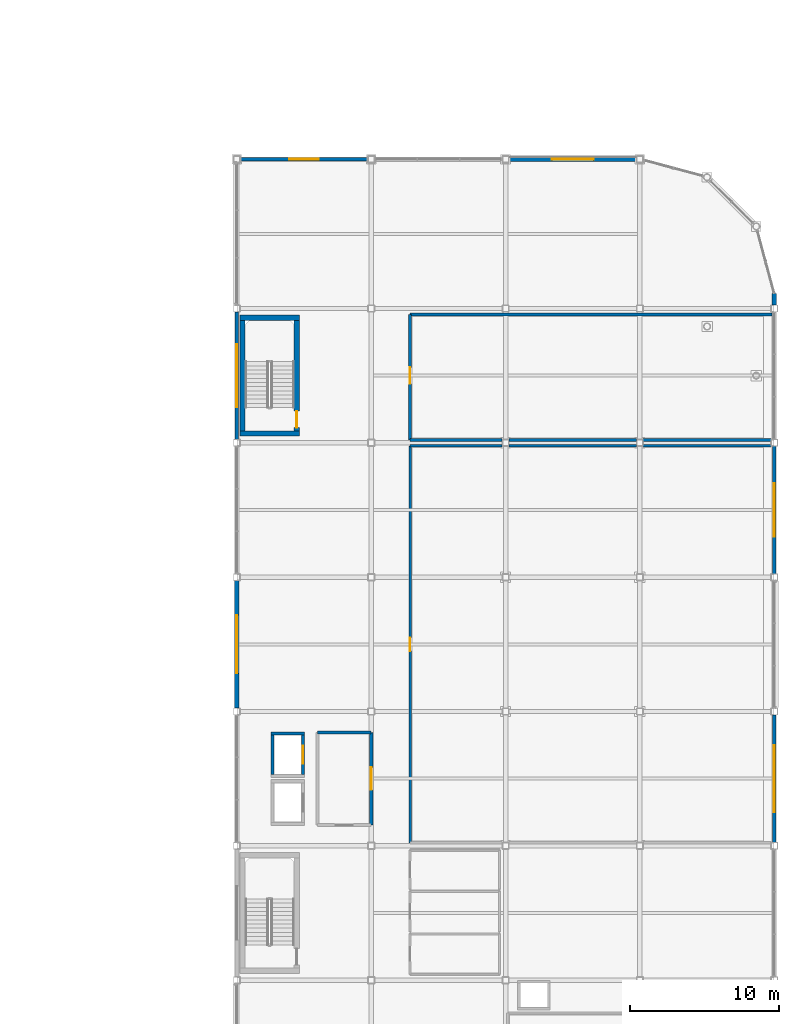
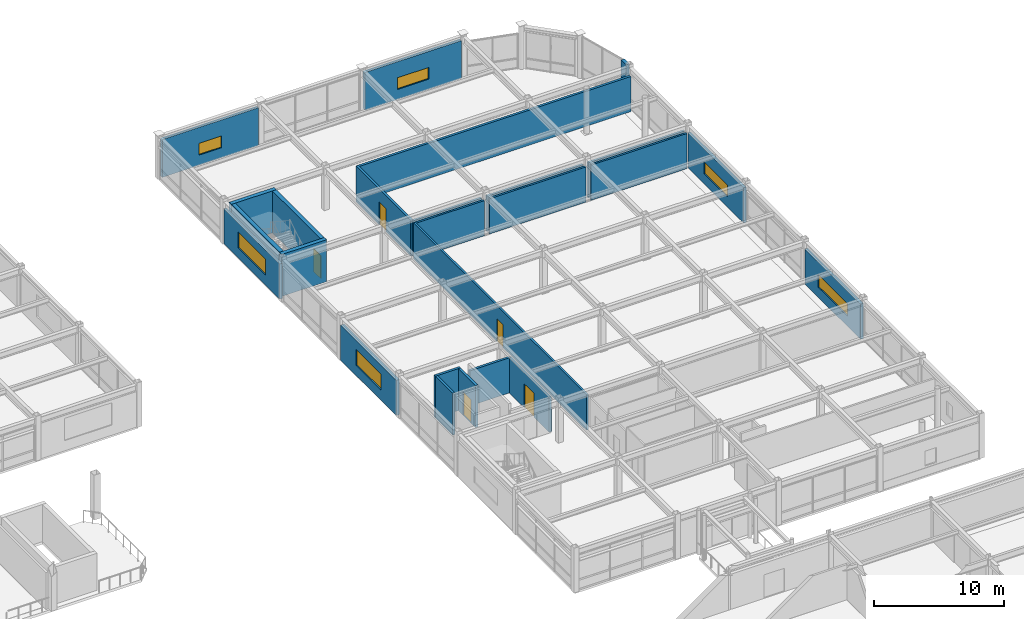
# One storey, part 79 of 105: 25 walls, 6 windows, 5 doors, 11 openings.
"""IFC4 building model written with IfcOpenShell, lengths in metres."""

from ifc_helpers import new_model, si_unit, direction, frame, frame_2d, origin, place, context, subcontext, project, spatial, rectangle, extrude, material, layer, layer_set, type_object, element, fill, save


model = new_model("IFC4")

# Units and contexts
model_context = context("Model", 3, precision=1e-05, world=origin(), true_north=direction((0.0, 1.0)))
body_context = subcontext(model_context, "Body", "Model", "MODEL_VIEW")
ifc_project = project(units=[si_unit("LENGTHUNIT", "METRE"), si_unit("AREAUNIT", "SQUARE_METRE"), si_unit("VOLUMEUNIT", "CUBIC_METRE"), si_unit("PLANEANGLEUNIT", "RADIAN"), si_unit("MASSUNIT", "GRAM", prefix="KILO")], contexts=[model_context])

# Site, building, storey
site_placement = place(None, origin())
site = spatial("IfcSite", under=ifc_project, at=site_placement, CompositionType="ELEMENT")
building_placement = place(site_placement, origin())
building = spatial("IfcBuilding", under=site, at=building_placement, Name="Suzunagisa Mobility Hub", CompositionType="ELEMENT")
storey_placement = place(building_placement, frame((0.0, 0.0, 5.10009765625)))
storey = spatial("IfcBuildingStorey", under=building, at=storey_placement, Name="L01", CompositionType="ELEMENT", Elevation=5.10009765625)

# Wall, opening, window
ifc_material_1 = material(Name="Porcelain-Faced Insulated Concrete C30/37 Wall", Category="concrete")
ifc_layer_1 = layer(ifc_material_1, 0.260009765625)
ifc_layer_set_1 = layer_set([ifc_layer_1], Name="Porcelain-Faced Insulated Concrete C30/37 Wall")
wall_type_1 = type_object("IfcWallType", Name="Exterior Wall EW-03 260mm", PredefinedType="SOLIDWALL", material=ifc_layer_set_1)
wall_1_placement = place(storey_placement, frame((180.0, 62.22509765625, 0.0), z_axis=(0.0, 0.0, 1.0), x_axis=(0.0, 1.0, 0.0)))
wall_1 = element("IfcWall", 1, at=wall_1_placement, inside=storey, type_object=wall_type_1, Name="L01 Exterior Facade Wall EW-362", PredefinedType="SOLIDWALL", context=body_context, shape_type="SweptSolid", body=[
    extrude(rectangle(XDim=8.5498046875, YDim=0.260009765625, at=frame_2d((4.27490234375, 0.0))), origin(), (0.0, 0.0, 1.0), 3.2998046875),
])
opening_1_placement = place(wall_1_placement, frame((2.02490234375, 0.0, 0.949951171875)))
opening_1 = element("IfcOpeningElement", 2, at=opening_1_placement, cuts=wall_1, Name="Opening WN-28", PredefinedType="OPENING", context=body_context, shape_type="SweptSolid", body=[
    extrude(rectangle(XDim=4.5, YDim=1.199951171875, at=frame_2d((2.25, 0.60009765625))), frame((0.0, 0.14111328125, 0.0), z_axis=(0.0, -1.0, 0.0), x_axis=(1.0, 0.0, 0.0)), (0.0, 0.0, 1.0), 0.281982421875),
])
ifc_material_2 = material(Name="Thermally Broken Anodized Aluminum and Low-E Double Glazing", Category="aluminium")
window_type_1 = type_object("IfcWindowType", Name="Aluminum Window WN-28 4500x1200", PartitioningType="SINGLE_PANEL", PredefinedType="WINDOW", material=ifc_material_2)
window_1_placement = place(opening_1_placement, origin())
window_1 = element("IfcWindow", 3, at=window_1_placement, inside=storey, type_object=window_type_1, Name="L01 Scheduled Facade Window WN-117", OverallHeight=1.199951171875, OverallWidth=4.5, PartitioningType="SINGLE_PANEL", PredefinedType="WINDOW", context=body_context, shape_type="SweptSolid", body=[
    extrude(rectangle(XDim=4.5, YDim=1.199951171875, at=frame_2d((2.25, 0.60009765625))), frame((0.0, 0.030029296875, 0.0), z_axis=(0.0, -1.0, 0.0), x_axis=(1.0, 0.0, 0.0)), (0.0, 0.0, 1.0), 0.06005859375),
])
fill(opening_1, window_1)

wall_2_placement = place(storey_placement, frame((152.77490234375, 108.0, 0.0), z_axis=(0.0, 0.0, 1.0), x_axis=(-1.0, 0.0, 0.0)))
wall_2 = element("IfcWall", 4, at=wall_2_placement, inside=storey, type_object=wall_type_1, Name="L01 Exterior Facade Wall EW-366", PredefinedType="SOLIDWALL", context=body_context, shape_type="SweptSolid", body=[
    extrude(rectangle(XDim=8.5498046875, YDim=0.260009765625, at=frame_2d((4.27490234375, 0.0))), origin(), (0.0, 0.0, 1.0), 3.5498046875),
])
opening_2_placement = place(wall_2_placement, frame((3.27490234375, 0.0, 0.949951171875)))
opening_2 = element("IfcOpeningElement", 5, at=opening_2_placement, cuts=wall_2, Name="Opening WN-26", PredefinedType="OPENING", context=body_context, shape_type="SweptSolid", body=[
    extrude(rectangle(XDim=2.0, YDim=1.10009765625, at=frame_2d((1.0, 0.550048828125))), frame((0.0, 0.14111328125, 0.0), z_axis=(0.0, -1.0, 0.0), x_axis=(1.0, 0.0, 0.0)), (0.0, 0.0, 1.0), 0.281982421875),
])
window_type_2 = type_object("IfcWindowType", Name="Aluminum Window WN-26 2000x1100", PartitioningType="SINGLE_PANEL", PredefinedType="WINDOW", material=ifc_material_2)
window_2_placement = place(opening_2_placement, origin())
window_2 = element("IfcWindow", 6, at=window_2_placement, inside=storey, type_object=window_type_2, Name="L01 Scheduled Facade Window WN-120", OverallHeight=1.10009765625, OverallWidth=2.0, PartitioningType="SINGLE_PANEL", PredefinedType="WINDOW", context=body_context, shape_type="SweptSolid", body=[
    extrude(rectangle(XDim=2.0, YDim=1.10009765625, at=frame_2d((1.0, 0.550048828125))), frame((0.0, 0.030029296875, 0.0), z_axis=(0.0, -1.0, 0.0), x_axis=(1.0, 0.0, 0.0)), (0.0, 0.0, 1.0), 0.06005859375),
])
fill(opening_2, window_2)

ifc_material_3 = material(Name="Lightweight Insulated Autoclaved Concrete C30/37 Wall", Category="concrete")
ifc_layer_2 = layer(ifc_material_3, 0.239990234375)
ifc_layer_set_2 = layer_set([ifc_layer_2], Name="Lightweight Insulated Autoclaved Concrete C30/37 Wall")
wall_type_2 = type_object("IfcWallType", Name="Exterior Wall EW-04 240mm", PredefinedType="SOLIDWALL", material=ifc_layer_set_2)
wall_3_placement = place(storey_placement, frame((180.0, 80.22509765625, 0.0), z_axis=(0.0, 0.0, 1.0), x_axis=(0.0, 1.0, 0.0)))
wall_3 = element("IfcWall", 7, at=wall_3_placement, inside=storey, type_object=wall_type_2, Name="L01 Exterior Facade Wall EW-363", PredefinedType="SOLIDWALL", context=body_context, shape_type="SweptSolid", body=[
    extrude(rectangle(XDim=8.5498046875, YDim=0.239990234375, at=frame_2d((4.27490234375, 0.0))), origin(), (0.0, 0.0, 1.0), 3.2998046875),
])
opening_3_placement = place(wall_3_placement, frame((2.47509765625, 0.0, 0.949951171875)))
opening_3 = element("IfcOpeningElement", 8, at=opening_3_placement, cuts=wall_3, Name="Opening WN-05", PredefinedType="OPENING", context=body_context, shape_type="SweptSolid", body=[
    extrude(rectangle(XDim=3.60009765625, YDim=1.10009765625, at=frame_2d((1.800048828125, 0.550048828125))), frame((0.0, 0.130859375, 0.0), z_axis=(0.0, -1.0, 0.0), x_axis=(1.0, 0.0, 0.0)), (0.0, 0.0, 1.0), 0.261962890625),
])
window_type_3 = type_object("IfcWindowType", Name="Aluminum Window WN-05 3600x1100", PartitioningType="SINGLE_PANEL", PredefinedType="WINDOW", material=ifc_material_2)
window_3_placement = place(opening_3_placement, origin())
window_3 = element("IfcWindow", 9, at=window_3_placement, inside=storey, type_object=window_type_3, Name="L01 Scheduled Facade Window WN-118", OverallHeight=1.10009765625, OverallWidth=3.60009765625, PartitioningType="SINGLE_PANEL", PredefinedType="WINDOW", context=body_context, shape_type="SweptSolid", body=[
    extrude(rectangle(XDim=3.60009765625, YDim=1.10009765625, at=frame_2d((1.800048828125, 0.550048828125))), frame((0.0, 0.030029296875, 0.0), z_axis=(0.0, -1.0, 0.0), x_axis=(1.0, 0.0, 0.0)), (0.0, 0.0, 1.0), 0.06005859375),
])
fill(opening_3, window_3)

wall_4_placement = place(storey_placement, frame((144.0, 97.77490234375, 0.0), z_axis=(0.0, 0.0, 1.0), x_axis=(0.0, -1.0, 0.0)))
wall_4 = element("IfcWall", 10, at=wall_4_placement, inside=storey, type_object=wall_type_2, Name="L01 Exterior Facade Wall EW-367", PredefinedType="SOLIDWALL", context=body_context, shape_type="SweptSolid", body=[
    extrude(rectangle(XDim=8.5498046875, YDim=0.239990234375, at=frame_2d((4.27490234375, 0.0))), origin(), (0.0, 0.0, 1.0), 3.2998046875),
])
opening_4_placement = place(wall_4_placement, frame((2.175048828125, 0.0, 0.949951171875)))
opening_4 = element("IfcOpeningElement", 11, at=opening_4_placement, cuts=wall_4, Name="Opening WN-22", PredefinedType="OPENING", context=body_context, shape_type="SweptSolid", body=[
    extrude(rectangle(XDim=4.199951171875, YDim=1.5, at=frame_2d((2.10009765625, 0.75))), frame((0.0, 0.130859375, 0.0), z_axis=(0.0, -1.0, 0.0), x_axis=(1.0, 0.0, 0.0)), (0.0, 0.0, 1.0), 0.261962890625),
])
window_type_4 = type_object("IfcWindowType", Name="Aluminum Window WN-22 4200x1500", PartitioningType="SINGLE_PANEL", PredefinedType="WINDOW", material=ifc_material_2)
window_4_placement = place(opening_4_placement, origin())
window_4 = element("IfcWindow", 12, at=window_4_placement, inside=storey, type_object=window_type_4, Name="L01 Scheduled Facade Window WN-121", OverallHeight=1.5, OverallWidth=4.199951171875, PartitioningType="SINGLE_PANEL", PredefinedType="WINDOW", context=body_context, shape_type="SweptSolid", body=[
    extrude(rectangle(XDim=4.199951171875, YDim=1.5, at=frame_2d((2.10009765625, 0.75))), frame((0.0, 0.030029296875, 0.0), z_axis=(0.0, -1.0, 0.0), x_axis=(1.0, 0.0, 0.0)), (0.0, 0.0, 1.0), 0.06005859375),
])
fill(opening_4, window_4)

ifc_layer_3 = layer(ifc_material_1, 0.280029296875)
ifc_layer_set_3 = layer_set([ifc_layer_3], Name="Porcelain-Faced Insulated Concrete C30/37 Wall")
wall_type_3 = type_object("IfcWallType", Name="Exterior Wall EW-08 280mm", PredefinedType="SOLIDWALL", material=ifc_layer_set_3)
wall_5_placement = place(storey_placement, frame((170.77490234375, 108.0, 0.0), z_axis=(0.0, 0.0, 1.0), x_axis=(-1.0, 0.0, 0.0)))
wall_5 = element("IfcWall", 13, at=wall_5_placement, inside=storey, type_object=wall_type_3, Name="L01 Exterior Facade Wall EW-365", PredefinedType="SOLIDWALL", context=body_context, shape_type="SweptSolid", body=[
    extrude(rectangle(XDim=8.5498046875, YDim=0.280029296875, at=frame_2d((4.27490234375, 0.0))), origin(), (0.0, 0.0, 1.0), 3.5498046875),
])
opening_5_placement = place(wall_5_placement, frame((2.875, 0.0, 0.949951171875)))
opening_5 = element("IfcOpeningElement", 14, at=opening_5_placement, cuts=wall_5, Name="Opening WN-01", PredefinedType="OPENING", context=body_context, shape_type="SweptSolid", body=[
    extrude(rectangle(XDim=2.800048828125, YDim=1.10009765625, at=frame_2d((1.39990234375, 0.550048828125))), frame((0.0, 0.15087890625, 0.0), z_axis=(0.0, -1.0, 0.0), x_axis=(1.0, 0.0, 0.0)), (0.0, 0.0, 1.0), 0.302001953125),
])
window_type_5 = type_object("IfcWindowType", Name="Aluminum Window WN-01 2800x1100", PartitioningType="SINGLE_PANEL", PredefinedType="WINDOW", material=ifc_material_2)
window_5_placement = place(opening_5_placement, origin())
window_5 = element("IfcWindow", 15, at=window_5_placement, inside=storey, type_object=window_type_5, Name="L01 Scheduled Facade Window WN-119", OverallHeight=1.10009765625, OverallWidth=2.800048828125, PartitioningType="SINGLE_PANEL", PredefinedType="WINDOW", context=body_context, shape_type="SweptSolid", body=[
    extrude(rectangle(XDim=2.800048828125, YDim=1.10009765625, at=frame_2d((1.39990234375, 0.550048828125))), frame((0.0, 0.030029296875, 0.0), z_axis=(0.0, -1.0, 0.0), x_axis=(1.0, 0.0, 0.0)), (0.0, 0.0, 1.0), 0.06005859375),
])
fill(opening_5, window_5)

# Wall
ifc_material_4 = material(Name="Insulated Precast Concrete C35/45 Panel", Category="concrete")
ifc_layer_4 = layer(ifc_material_4, 0.300048828125)
ifc_layer_set_4 = layer_set([ifc_layer_4], Name="Insulated Precast Concrete C35/45 Panel")
wall_type_4 = type_object("IfcWallType", Name="Exterior Wall EW-09 300mm", PredefinedType="SOLIDWALL", material=ifc_layer_set_4)
wall_6_placement = place(storey_placement, frame((180.0, 98.22509765625, 0.0), z_axis=(0.0, 0.0, 1.0), x_axis=(0.0, 1.0, 0.0)))
element("IfcWall", 16, at=wall_6_placement, inside=storey, type_object=wall_type_4, Name="L01 Exterior Facade Wall EW-364", PredefinedType="SOLIDWALL", context=body_context, shape_type="SweptSolid", body=[
    extrude(rectangle(XDim=0.77490234375, YDim=0.300048828125, at=frame_2d((0.387451171875, 0.0))), origin(), (0.0, 0.0, 1.0), 3.93994140625),
])

# Wall, opening, window
wall_7_placement = place(storey_placement, frame((144.0, 79.77490234375, 0.0), z_axis=(0.0, 0.0, 1.0), x_axis=(0.0, -1.0, 0.0)))
wall_7 = element("IfcWall", 17, at=wall_7_placement, inside=storey, type_object=wall_type_4, Name="L01 Exterior Facade Wall EW-368", PredefinedType="SOLIDWALL", context=body_context, shape_type="SweptSolid", body=[
    extrude(rectangle(XDim=8.5498046875, YDim=0.300048828125, at=frame_2d((4.27490234375, 0.0))), origin(), (0.0, 0.0, 1.0), 3.2998046875),
])
opening_6_placement = place(wall_7_placement, frame((2.324951171875, 0.0, 0.949951171875)))
opening_6 = element("IfcOpeningElement", 18, at=opening_6_placement, cuts=wall_7, Name="Opening WN-11", PredefinedType="OPENING", context=body_context, shape_type="SweptSolid", body=[
    extrude(rectangle(XDim=3.89990234375, YDim=1.5, at=frame_2d((1.949951171875, 0.75))), frame((0.0, 0.1611328125, 0.0), z_axis=(0.0, -1.0, 0.0), x_axis=(1.0, 0.0, 0.0)), (0.0, 0.0, 1.0), 0.322021484375),
])
window_type_6 = type_object("IfcWindowType", Name="Aluminum Window WN-11 3900x1500", PartitioningType="SINGLE_PANEL", PredefinedType="WINDOW", material=ifc_material_2)
window_6_placement = place(opening_6_placement, origin())
window_6 = element("IfcWindow", 19, at=window_6_placement, inside=storey, type_object=window_type_6, Name="L01 Scheduled Facade Window WN-122", OverallHeight=1.5, OverallWidth=3.89990234375, PartitioningType="SINGLE_PANEL", PredefinedType="WINDOW", context=body_context, shape_type="SweptSolid", body=[
    extrude(rectangle(XDim=3.89990234375, YDim=1.5, at=frame_2d((1.949951171875, 0.75))), frame((0.0, 0.030029296875, 0.0), z_axis=(0.0, -1.0, 0.0), x_axis=(1.0, 0.0, 0.0)), (0.0, 0.0, 1.0), 0.06005859375),
])
fill(opening_6, window_6)

# Wall, opening, door
ifc_material_5 = material(Name="Fire-Rated Gypsum Stud Partition", Category="gypsum")
ifc_layer_5 = layer(ifc_material_5, 0.2099609375)
ifc_layer_set_5 = layer_set([ifc_layer_5], Name="Fire-Rated Gypsum Stud Partition")
wall_type_5 = type_object("IfcWallType", Name="Interior Wall IW-03 210mm", PredefinedType="PARTITIONING", material=ifc_layer_set_5)
wall_8_placement = place(storey_placement, frame((148.425048828125, 66.780029296875, 0.0), z_axis=(0.0, 0.0, 1.0), x_axis=(0.0, 1.0, 0.0)))
wall_8 = element("IfcWall", 20, at=wall_8_placement, inside=storey, type_object=wall_type_5, Name="L01 Lift LF-06 Shaft Front Wall", PredefinedType="PARTITIONING", context=body_context, shape_type="SweptSolid", body=[
    extrude(rectangle(XDim=2.639892578125, YDim=0.2099609375, at=frame_2d((1.31982421875, 0.0))), origin(), (0.0, 0.0, 1.0), 3.93994140625),
])
opening_7_placement = place(wall_8_placement, frame((0.719970703125, 0.0, 0.0)))
opening_7 = element("IfcOpeningElement", 21, at=opening_7_placement, cuts=wall_8, Name="Opening LD-03", PredefinedType="OPENING", context=body_context, shape_type="SweptSolid", body=[
    extrude(rectangle(XDim=1.199951171875, YDim=2.199951171875, at=frame_2d((0.60009765625, 1.10009765625))), frame((0.0, 0.115966796875, 0.0), z_axis=(0.0, -1.0, 0.0), x_axis=(1.0, 0.0, 0.0)), (0.0, 0.0, 1.0), 0.23193359375),
])
ifc_material_6 = material(Name="Brushed Stainless Steel SUS304", Category="metal")
door_type_1 = type_object("IfcDoorType", Name="Lift Landing Sliding Door LD-03 1200x2200", OperationType="SLIDING_TO_LEFT", PredefinedType="DOOR", material=ifc_material_6)
door_1_placement = place(opening_7_placement, origin())
door_1 = element("IfcDoor", 22, at=door_1_placement, inside=storey, type_object=door_type_1, Name="L01 Lift LF-06 Sliding Landing Door", OperationType="SLIDING_TO_LEFT", OverallHeight=2.199951171875, OverallWidth=1.199951171875, PredefinedType="DOOR", context=body_context, shape_type="SweptSolid", body=[
    extrude(rectangle(XDim=1.199951171875, YDim=2.199951171875, at=frame_2d((0.60009765625, 1.10009765625))), frame((0.0, 0.02490234375, 0.0), z_axis=(0.0, -1.0, 0.0), x_axis=(1.0, 0.0, 0.0)), (0.0, 0.0, 1.0), 0.050048828125),
])
fill(opening_7, door_1)

# Walls
wall_9_placement = place(storey_placement, frame((146.375, 66.780029296875, 0.0), z_axis=(0.0, 0.0, 1.0), x_axis=(0.0, 1.0, 0.0)))
element("IfcWall", 23, at=wall_9_placement, inside=storey, type_object=wall_type_5, Name="L01 Lift LF-06 Shaft Back Wall", PredefinedType="PARTITIONING", context=body_context, shape_type="SweptSolid", body=[
    extrude(rectangle(XDim=2.639892578125, YDim=0.2099609375, at=frame_2d((1.31982421875, 0.0))), origin(), (0.0, 0.0, 1.0), 3.93994140625),
])
wall_10_placement = place(storey_placement, frame((146.27001953125, 69.52490234375, 0.0), z_axis=(0.0, 0.0, 1.0), x_axis=(1.0, 0.0, 0.0)))
element("IfcWall", 24, at=wall_10_placement, inside=storey, type_object=wall_type_5, Name="L01 Lift LF-06 Shaft North Wall", PredefinedType="PARTITIONING", context=body_context, shape_type="SweptSolid", body=[
    extrude(rectangle(XDim=2.260009765625, YDim=0.2099609375, at=frame_2d((1.1298828125, 0.0))), origin(), (0.0, 0.0, 1.0), 3.93994140625),
])
wall_11_placement = place(storey_placement, frame((149.39990234375, 69.60009765625, 0.0), z_axis=(0.0, 0.0, 1.0), x_axis=(1.0, 0.0, 0.0)))
element("IfcWall", 25, at=wall_11_placement, inside=storey, type_object=wall_type_5, Name="L01 Firefighting Lift Lobby L01 Partition PW-542", PredefinedType="PARTITIONING", context=body_context, shape_type="SweptSolid", body=[
    extrude(rectangle(XDim=3.60009765625, YDim=0.2099609375, at=frame_2d((1.800048828125, 0.0))), origin(), (0.0, 0.0, 1.0), 3.2998046875),
])

# Wall, opening, door
wall_12_placement = place(storey_placement, frame((153.0, 63.39990234375, 0.0), z_axis=(0.0, 0.0, 1.0), x_axis=(0.0, 1.0, 0.0)))
wall_12 = element("IfcWall", 26, at=wall_12_placement, inside=storey, type_object=wall_type_5, Name="L01 Firefighting Lift Lobby L01 Partition PW-544", PredefinedType="PARTITIONING", context=body_context, shape_type="SweptSolid", body=[
    extrude(rectangle(XDim=6.2001953125, YDim=0.2099609375, at=frame_2d((3.10009765625, 0.0))), origin(), (0.0, 0.0, 1.0), 3.2998046875),
])
opening_8_placement = place(wall_12_placement, frame((2.35009765625, 0.0, 0.0)))
opening_8 = element("IfcOpeningElement", 27, at=opening_8_placement, cuts=wall_12, Name="Opening DR-15", PredefinedType="OPENING", context=body_context, shape_type="SweptSolid", body=[
    extrude(rectangle(XDim=1.5, YDim=2.25, at=frame_2d((0.75, 1.125))), frame((0.0, 0.115966796875, 0.0), z_axis=(0.0, -1.0, 0.0), x_axis=(1.0, 0.0, 0.0)), (0.0, 0.0, 1.0), 0.23193359375),
])
ifc_material_7 = material(Name="Smoke-Control Double Fire Door")
door_type_2 = type_object("IfcDoorType", Name="Interior Door DR-15 1500x2250", OperationType="SINGLE_SWING_LEFT", PredefinedType="DOOR", material=ifc_material_7)
door_2_placement = place(opening_8_placement, origin())
door_2 = element("IfcDoor", 28, at=door_2_placement, inside=storey, type_object=door_type_2, Name="L01 Firefighting Lift Lobby L01 Door DR-126", OperationType="SINGLE_SWING_LEFT", OverallHeight=2.25, OverallWidth=1.5, PredefinedType="DOOR", context=body_context, shape_type="SweptSolid", body=[
    extrude(rectangle(XDim=1.5, YDim=2.25, at=frame_2d((0.75, 1.125))), frame((0.0, 0.02490234375, 0.0), z_axis=(0.0, -1.0, 0.0), x_axis=(1.0, 0.0, 0.0)), (0.0, 0.0, 1.0), 0.050048828125),
])
fill(opening_8, door_2)

# Walls
wall_13_placement = place(storey_placement, frame((155.60009765625, 89.199951171875, 0.0), z_axis=(0.0, 0.0, 1.0), x_axis=(1.0, 0.0, 0.0)))
element("IfcWall", 29, at=wall_13_placement, inside=storey, type_object=wall_type_5, Name="L01 North Air-Handling Unit Plant Room L01 Partition PW-795", PredefinedType="PARTITIONING", context=body_context, shape_type="SweptSolid", body=[
    extrude(rectangle(XDim=6.1748046875, YDim=0.2099609375, at=frame_2d((3.08740234375, 0.0))), origin(), (0.0, 0.0, 1.0), 3.2998046875),
])
for number, where, z_axis, x_axis, name in (
    (30, (162.22509765625, 89.199951171875, 0.0), (0.0, 0.0, 1.0), (1.0, 0.0, 0.0), "L01 North Air-Handling Unit Plant Room L01 Partition PW-796"),
    (31, (171.22509765625, 89.199951171875, 0.0), (0.0, 0.0, 1.0), (1.0, 0.0, 0.0), "L01 North Air-Handling Unit Plant Room L01 Partition PW-797"),
):
    element("IfcWall", number, at=place(storey_placement, frame(where, z_axis=z_axis, x_axis=x_axis)), inside=storey, type_object=wall_type_5, Name=name, PredefinedType="PARTITIONING", context=body_context, shape_type="SweptSolid", body=[
        extrude(rectangle(XDim=8.5498046875, YDim=0.2099609375, at=frame_2d((4.27490234375, 0.0))), origin(), (0.0, 0.0, 1.0), 3.2998046875),
    ])
wall_14_placement = place(storey_placement, frame((155.60009765625, 97.60009765625, 0.0), z_axis=(0.0, 0.0, 1.0), x_axis=(1.0, 0.0, 0.0)))
element("IfcWall", 32, at=wall_14_placement, inside=storey, type_object=wall_type_5, Name="L01 North Air-Handling Unit Plant Room L01 Partition PW-798", PredefinedType="PARTITIONING", context=body_context, shape_type="SweptSolid", body=[
    extrude(rectangle(XDim=24.23486328125, YDim=0.2099609375, at=frame_2d((12.117431640625, 0.0))), origin(), (0.0, 0.0, 1.0), 3.2998046875),
])

# Wall, opening, door
wall_15_placement = place(storey_placement, frame((155.60009765625, 89.199951171875, 0.0), z_axis=(0.0, 0.0, 1.0), x_axis=(0.0, 1.0, 0.0)))
wall_15 = element("IfcWall", 33, at=wall_15_placement, inside=storey, type_object=wall_type_5, Name="L01 North Air-Handling Unit Plant Room L01 Partition PW-799", PredefinedType="PARTITIONING", context=body_context, shape_type="SweptSolid", body=[
    extrude(rectangle(XDim=8.400146484375, YDim=0.2099609375, at=frame_2d((4.2001953125, 0.0))), origin(), (0.0, 0.0, 1.0), 3.36181640625),
])
opening_9_placement = place(wall_15_placement, frame((3.75, 0.0, 0.0)))
opening_9 = element("IfcOpeningElement", 34, at=opening_9_placement, cuts=wall_15, Name="Opening DR-11", PredefinedType="OPENING", context=body_context, shape_type="SweptSolid", body=[
    extrude(rectangle(XDim=1.10009765625, YDim=2.14990234375, at=frame_2d((0.550048828125, 1.074951171875))), frame((0.0, 0.115966796875, 0.0), z_axis=(0.0, -1.0, 0.0), x_axis=(1.0, 0.0, 0.0)), (0.0, 0.0, 1.0), 0.23193359375),
])
ifc_material_8 = material(Name="Riser and Switchroom Fire Door")
door_type_3 = type_object("IfcDoorType", Name="Interior Door DR-11 1100x2150", OperationType="SINGLE_SWING_LEFT", PredefinedType="DOOR", material=ifc_material_8)
door_3_placement = place(opening_9_placement, origin())
door_3 = element("IfcDoor", 35, at=door_3_placement, inside=storey, type_object=door_type_3, Name="L01 North Air-Handling Unit Plant Room L01 Door DR-200", OperationType="SINGLE_SWING_LEFT", OverallHeight=2.14990234375, OverallWidth=1.10009765625, PredefinedType="DOOR", context=body_context, shape_type="SweptSolid", body=[
    extrude(rectangle(XDim=1.10009765625, YDim=2.14990234375, at=frame_2d((0.550048828125, 1.074951171875))), frame((0.0, 0.02490234375, 0.0), z_axis=(0.0, -1.0, 0.0), x_axis=(1.0, 0.0, 0.0)), (0.0, 0.0, 1.0), 0.050048828125),
])
fill(opening_9, door_3)

# Walls
ifc_material_9 = material(Name="Concrete C35/45", Category="concrete")
ifc_layer_6 = layer(ifc_material_9, 0.35009765625)
ifc_layer_set_6 = layer_set([ifc_layer_6], Name="Concrete C35/45")
wall_type_6 = type_object("IfcWallType", Name="Interior Wall IW-04 350mm", PredefinedType="SHEAR", material=ifc_layer_set_6)
for number, where, z_axis, x_axis, name in (
    (36, (144.2099609375, 89.625, 0.0), (0.0, 0.0, 1.0), (1.0, 0.0, 0.0), "L01 Core C5B Shear Wall SW-469"),
    (37, (144.2099609375, 97.375, 0.0), (0.0, 0.0, 1.0), (1.0, 0.0, 0.0), "L01 Core C5B Shear Wall SW-470"),
):
    element("IfcWall", number, at=place(storey_placement, frame(where, z_axis=z_axis, x_axis=x_axis)), inside=storey, type_object=wall_type_6, Name=name, PredefinedType="SHEAR", context=body_context, shape_type="SweptSolid", body=[
        extrude(rectangle(XDim=3.97998046875, YDim=0.35009765625, at=frame_2d((1.989990234375, 0.0))), origin(), (0.0, 0.0, 1.0), 3.93994140625),
    ])
wall_16_placement = place(storey_placement, frame((144.385009765625, 89.800048828125, 0.0), z_axis=(0.0, 0.0, 1.0), x_axis=(0.0, 1.0, 0.0)))
element("IfcWall", 38, at=wall_16_placement, inside=storey, type_object=wall_type_6, Name="L01 Core C5B Shear Wall SW-471", PredefinedType="SHEAR", context=body_context, shape_type="SweptSolid", body=[
    extrude(rectangle(XDim=7.39990234375, YDim=0.35009765625, at=frame_2d((3.699951171875, 0.0))), origin(), (0.0, 0.0, 1.0), 3.93994140625),
])

# Wall, opening, door
wall_17_placement = place(storey_placement, frame((148.014892578125, 89.800048828125, 0.0), z_axis=(0.0, 0.0, 1.0), x_axis=(0.0, 1.0, 0.0)))
wall_17 = element("IfcWall", 39, at=wall_17_placement, inside=storey, type_object=wall_type_6, Name="L01 Core C5B Shear Wall SW-472", PredefinedType="SHEAR", context=body_context, shape_type="SweptSolid", body=[
    extrude(rectangle(XDim=7.39990234375, YDim=0.35009765625, at=frame_2d((3.699951171875, 0.0))), origin(), (0.0, 0.0, 1.0), 3.93994140625),
])
opening_10_placement = place(wall_17_placement, frame((0.219970703125, 0.0, 0.0)))
opening_10 = element("IfcOpeningElement", 40, at=opening_10_placement, cuts=wall_17, Name="Opening DR-05", PredefinedType="OPENING", context=body_context, shape_type="SweptSolid", body=[
    extrude(rectangle(XDim=1.10009765625, YDim=2.14990234375, at=frame_2d((0.550048828125, 1.074951171875))), frame((0.0, 0.18603515625, 0.0), z_axis=(0.0, -1.0, 0.0), x_axis=(1.0, 0.0, 0.0)), (0.0, 0.0, 1.0), 0.3720703125),
])
ifc_material_10 = material(Name="Fire-Rated Hollow Steel Stair Door", Category="steel")
door_type_4 = type_object("IfcDoorType", Name="Interior Door DR-05 1100x2150", OperationType="SINGLE_SWING_LEFT", PredefinedType="DOOR", material=ifc_material_10)
door_4_placement = place(opening_10_placement, origin())
door_4 = element("IfcDoor", 41, at=door_4_placement, inside=storey, type_object=door_type_4, Name="L01 Core C5B Escape Stair Fire Door SD-115", OperationType="SINGLE_SWING_RIGHT", OverallHeight=2.14990234375, OverallWidth=1.10009765625, PredefinedType="DOOR", context=body_context, shape_type="SweptSolid", body=[
    extrude(rectangle(XDim=1.10009765625, YDim=2.14990234375, at=frame_2d((0.550048828125, 1.074951171875))), frame((0.0, 0.02490234375, 0.0), z_axis=(0.0, -1.0, 0.0), x_axis=(1.0, 0.0, 0.0)), (0.0, 0.0, 1.0), 0.050048828125),
])
fill(opening_10, door_4)

# Walls
ifc_layer_7 = layer(ifc_material_5, 0.169921875)
ifc_layer_set_7 = layer_set([ifc_layer_7], Name="Fire-Rated Gypsum Stud Partition")
wall_type_7 = type_object("IfcWallType", Name="Interior Wall IW-05 170mm", PredefinedType="PARTITIONING", material=ifc_layer_set_7)
wall_18_placement = place(storey_placement, frame((155.60009765625, 88.800048828125, 0.0), z_axis=(0.0, 0.0, 1.0), x_axis=(1.0, 0.0, 0.0)))
element("IfcWall", 42, at=wall_18_placement, inside=storey, type_object=wall_type_7, Name="L01 Driver Safety Simulation and Training Hall L01 Partition PW-791", PredefinedType="PARTITIONING", context=body_context, shape_type="SweptSolid", body=[
    extrude(rectangle(XDim=6.1748046875, YDim=0.169921875, at=frame_2d((3.08740234375, 0.0))), origin(), (0.0, 0.0, 1.0), 3.2998046875),
])
for number, where, z_axis, x_axis, name in (
    (43, (162.22509765625, 88.800048828125, 0.0), (0.0, 0.0, 1.0), (1.0, 0.0, 0.0), "L01 Driver Safety Simulation and Training Hall L01 Partition PW-792"),
    (44, (171.22509765625, 88.800048828125, 0.0), (0.0, 0.0, 1.0), (1.0, 0.0, 0.0), "L01 Driver Safety Simulation and Training Hall L01 Partition PW-793"),
):
    element("IfcWall", number, at=place(storey_placement, frame(where, z_axis=z_axis, x_axis=x_axis)), inside=storey, type_object=wall_type_7, Name=name, PredefinedType="PARTITIONING", context=body_context, shape_type="SweptSolid", body=[
        extrude(rectangle(XDim=8.5498046875, YDim=0.169921875, at=frame_2d((4.27490234375, 0.0))), origin(), (0.0, 0.0, 1.0), 3.2998046875),
    ])

# Wall, opening, door
wall_19_placement = place(storey_placement, frame((155.60009765625, 62.199951171875, 0.0), z_axis=(0.0, 0.0, 1.0), x_axis=(0.0, 1.0, 0.0)))
wall_19 = element("IfcWall", 45, at=wall_19_placement, inside=storey, type_object=wall_type_7, Name="L01 Driver Safety Simulation and Training Hall L01 Partition PW-794", PredefinedType="PARTITIONING", context=body_context, shape_type="SweptSolid", body=[
    extrude(rectangle(XDim=26.60009765625, YDim=0.169921875, at=frame_2d((13.300048828125, 0.0))), origin(), (0.0, 0.0, 1.0), 3.36181640625),
])
opening_11_placement = place(wall_19_placement, frame((12.85009765625, 0.0, 0.0)))
opening_11 = element("IfcOpeningElement", 46, at=opening_11_placement, cuts=wall_19, Name="Opening DR-27", PredefinedType="OPENING", context=body_context, shape_type="SweptSolid", body=[
    extrude(rectangle(XDim=0.89990234375, YDim=2.14990234375, at=frame_2d((0.449951171875, 1.074951171875))), frame((0.0, 0.095947265625, 0.0), z_axis=(0.0, -1.0, 0.0), x_axis=(1.0, 0.0, 0.0)), (0.0, 0.0, 1.0), 0.19189453125),
])
ifc_material_11 = material(Name="Anodized Aluminum Framed Acoustic Door", Category="aluminium")
door_type_5 = type_object("IfcDoorType", Name="Interior Door DR-27 900x2150", OperationType="SINGLE_SWING_LEFT", PredefinedType="DOOR", material=ifc_material_11)
door_5_placement = place(opening_11_placement, origin())
door_5 = element("IfcDoor", 47, at=door_5_placement, inside=storey, type_object=door_type_5, Name="L01 Driver Safety Simulation and Training Hall L01 Door DR-199", OperationType="SINGLE_SWING_RIGHT", OverallHeight=2.14990234375, OverallWidth=0.89990234375, PredefinedType="DOOR", context=body_context, shape_type="SweptSolid", body=[
    extrude(rectangle(XDim=0.89990234375, YDim=2.14990234375, at=frame_2d((0.449951171875, 1.074951171875))), frame((0.0, 0.02490234375, 0.0), z_axis=(0.0, -1.0, 0.0), x_axis=(1.0, 0.0, 0.0)), (0.0, 0.0, 1.0), 0.050048828125),
])
fill(opening_11, door_5)

save(model, "model.ifc")
